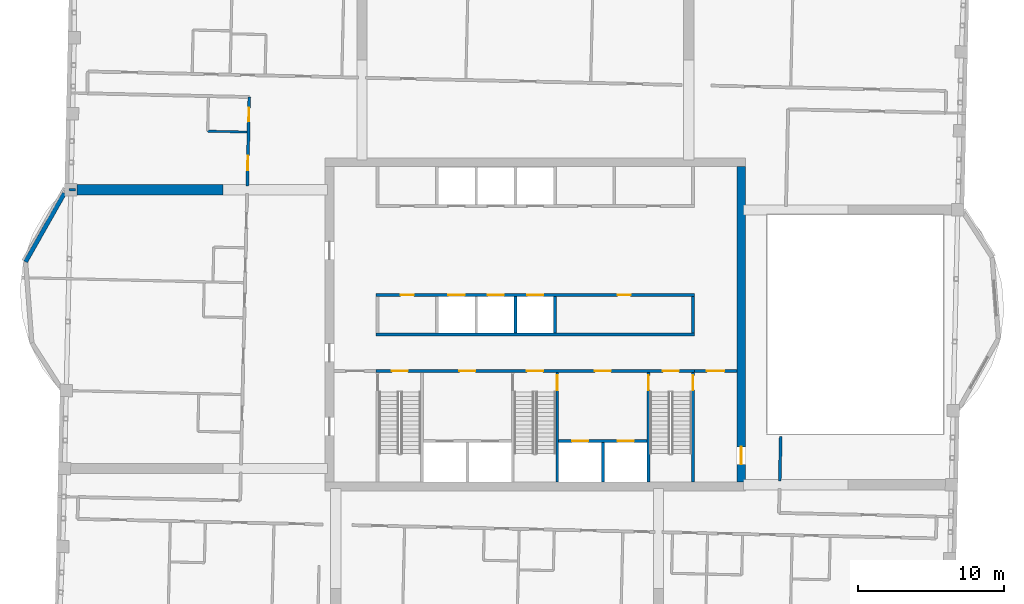
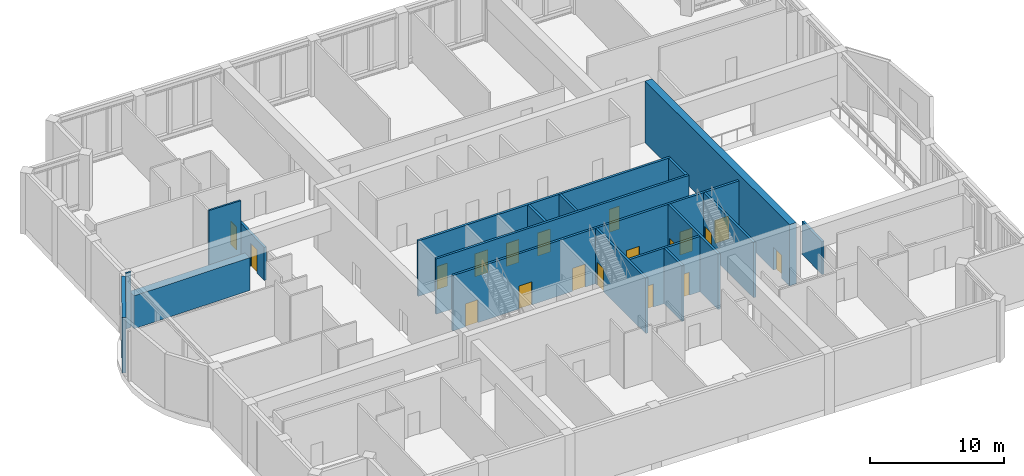
# One storey, part 11 of 16: 19 doors, 19 walls, 19 openings.
"""IFC4 building model written with IfcOpenShell, lengths in metres."""

from ifc_helpers import new_model, si_unit, direction, frame, frame_2d, origin, place, context, subcontext, project, spatial, rectangle, extrude, material, layer, layer_set, type_object, element, fill, save


model = new_model("IFC4")

# Units and contexts
model_context = context("Model", 3, precision=1e-05, world=origin(), true_north=direction((0.0, 1.0)))
body_context = subcontext(model_context, "Body", "Model", "MODEL_VIEW")
ifc_project = project(units=[si_unit("LENGTHUNIT", "METRE"), si_unit("AREAUNIT", "SQUARE_METRE"), si_unit("VOLUMEUNIT", "CUBIC_METRE"), si_unit("PLANEANGLEUNIT", "RADIAN"), si_unit("MASSUNIT", "GRAM", prefix="KILO")], contexts=[model_context])

# Site, building, storey
site_placement = place(None, origin())
site = spatial("IfcSite", under=ifc_project, at=site_placement, CompositionType="ELEMENT")
building_placement = place(site_placement, origin())
building = spatial("IfcBuilding", under=site, at=building_placement, Name="Mangrove Gate Tower", CompositionType="ELEMENT")
storey_placement = place(building_placement, frame((0.0, 0.0, 324.10009765625)))
storey = spatial("IfcBuildingStorey", under=building, at=storey_placement, Name="L83", CompositionType="ELEMENT", Elevation=324.10009765625)

# Wall, opening, door
ifc_material_1 = material(Name="Concrete C32/40", Category="concrete")
ifc_layer_1 = layer(ifc_material_1, 0.199951171875)
ifc_layer_set_1 = layer_set([ifc_layer_1], Name="Core lobby wall 200 C32/40")
wall_type_1 = type_object("IfcWallType", Name="Core lobby wall 200 C32/40", PredefinedType="STANDARD", material=ifc_layer_set_1)
wall_1_placement = place(storey_placement, frame((10.89990234375, -3.199951171875, 0.0), z_axis=(0.0, 0.0, 1.0), x_axis=(1.0, 0.0, 0.0)))
wall_1 = element("IfcWall", 1, at=wall_1_placement, inside=storey, type_object=wall_type_1, Name="WALL-L83-CORE-33", PredefinedType="STANDARD", context=body_context, shape_type="SweptSolid", body=[
    extrude(rectangle(XDim=2.900146484375, YDim=0.199951171875, at=frame_2d((1.4501953125, 0.0))), origin(), (0.0, 0.0, 1.0), 5.0498046875),
])
opening_1_placement = place(wall_1_placement, frame((0.85009765625, 0.0, 0.0)))
opening_1 = element("IfcOpeningElement", 2, at=opening_1_placement, cuts=wall_1, Name="Opening FL12", PredefinedType="OPENING", context=body_context, shape_type="SweptSolid", body=[
    extrude(rectangle(XDim=1.199951171875, YDim=2.10009765625, at=frame_2d((0.60009765625, 1.050048828125))), frame((0.0, 0.10986328125, 0.0), z_axis=(0.0, -1.0, 0.0), x_axis=(1.0, 0.0, 0.0)), (0.0, 0.0, 1.0), 0.219970703125),
])
ifc_material_2 = material(Name="Fire-rated steel door set", Category="steel")
door_type_1 = type_object("IfcDoorType", Name="Lobby door FD60 1200x2100", OperationType="SINGLE_SWING_LEFT", PredefinedType="DOOR", material=ifc_material_2)
door_1_placement = place(opening_1_placement, origin())
door_1 = element("IfcDoor", 3, at=door_1_placement, inside=storey, type_object=door_type_1, Name="Lobby door refuge lobby E link", OperationType="SINGLE_SWING_LEFT", OverallHeight=2.10009765625, OverallWidth=1.199951171875, PredefinedType="DOOR", context=body_context, shape_type="SweptSolid", body=[
    extrude(rectangle(XDim=1.199951171875, YDim=2.10009765625, at=frame_2d((0.60009765625, 1.050048828125))), frame((0.0, 0.02490234375, 0.0), z_axis=(0.0, -1.0, 0.0), x_axis=(1.0, 0.0, 0.0)), (0.0, 0.0, 1.0), 0.050048828125),
])
fill(opening_1, door_1)

# Walls
ifc_material_3 = material(Name="Concrete C32/40", Category="concrete")
ifc_layer_2 = layer(ifc_material_3, 0.199951171875)
ifc_layer_set_2 = layer_set([ifc_layer_2], Name="Core room wall 200 C32/40")
wall_type_2 = type_object("IfcWallType", Name="Core room wall 200 C32/40", PredefinedType="STANDARD", material=ifc_layer_set_2)
wall_2_placement = place(storey_placement, frame((10.800048828125, -0.60009765625, 0.0), z_axis=(0.0, 0.0, 1.0), x_axis=(0.0, 1.0, 0.0)))
element("IfcWall", 4, at=wall_2_placement, inside=storey, type_object=wall_type_2, Name="WALL-L83-CORE-24", PredefinedType="STANDARD", context=body_context, shape_type="SweptSolid", body=[
    extrude(rectangle(XDim=2.5, YDim=0.199951171875, at=frame_2d((1.25, 0.0))), origin(), (0.0, 0.0, 1.0), 5.0498046875),
])
ifc_material_4 = material(Name="Concrete C50/60", Category="concrete")
ifc_layer_3 = layer(ifc_material_4, 0.199951171875)
ifc_layer_set_3 = layer_set([ifc_layer_3], Name="Core shaft wall 200 C50/60")
wall_type_3 = type_object("IfcWallType", Name="Core shaft wall 200 C50/60", PredefinedType="SHEAR", material=ifc_layer_set_3)
wall_3_placement = place(storey_placement, frame((-10.89990234375, -0.699951171875, 0.0), z_axis=(0.0, 0.0, 1.0), x_axis=(1.0, 0.0, 0.0)))
element("IfcWall", 5, at=wall_3_placement, inside=storey, type_object=wall_type_3, Name="WALL-L83-CORE-6", PredefinedType="SHEAR", context=body_context, shape_type="SweptSolid", body=[
    extrude(rectangle(XDim=21.7998046875, YDim=0.199951171875, at=frame_2d((10.89990234375, 0.0))), origin(), (0.0, 0.0, 1.0), 5.0498046875),
])

# Wall, openings, doors
wall_4_placement = place(storey_placement, frame((-10.89990234375, 2.0, 0.0), z_axis=(0.0, 0.0, 1.0), x_axis=(1.0, 0.0, 0.0)))
wall_4 = element("IfcWall", 6, at=wall_4_placement, inside=storey, type_object=wall_type_3, Name="WALL-L83-CORE-7", PredefinedType="SHEAR", context=body_context, shape_type="SweptSolid", body=[
    extrude(rectangle(XDim=21.7998046875, YDim=0.199951171875, at=frame_2d((10.89990234375, 0.0))), origin(), (0.0, 0.0, 1.0), 5.0498046875),
])
opening_2_placement = place(wall_4_placement, frame((4.949951171875, 0.0, 0.0)))
opening_2 = element("IfcOpeningElement", 7, at=opening_2_placement, cuts=wall_4, Name="Opening LD", PredefinedType="OPENING", context=body_context, shape_type="SweptSolid", body=[
    extrude(rectangle(XDim=1.10009765625, YDim=2.10009765625, at=frame_2d((0.550048828125, 1.050048828125))), frame((0.0, 0.10986328125, 0.0), z_axis=(0.0, -1.0, 0.0), x_axis=(1.0, 0.0, 0.0)), (0.0, 0.0, 1.0), 0.219970703125),
])
opening_3_placement = place(wall_4_placement, frame((7.64990234375, 0.0, 0.0)))
opening_3 = element("IfcOpeningElement", 8, at=opening_3_placement, cuts=wall_4, Name="Opening LD", PredefinedType="OPENING", context=body_context, shape_type="SweptSolid", body=[
    extrude(rectangle(XDim=1.10009765625, YDim=2.10009765625, at=frame_2d((0.550048828125, 1.050048828125))), frame((0.0, 0.10986328125, 0.0), z_axis=(0.0, -1.0, 0.0), x_axis=(1.0, 0.0, 0.0)), (0.0, 0.0, 1.0), 0.219970703125),
])
opening_4_placement = place(wall_4_placement, frame((10.35009765625, 0.0, 0.0)))
opening_4 = element("IfcOpeningElement", 9, at=opening_4_placement, cuts=wall_4, Name="Opening LD", PredefinedType="OPENING", context=body_context, shape_type="SweptSolid", body=[
    extrude(rectangle(XDim=1.10009765625, YDim=2.10009765625, at=frame_2d((0.550048828125, 1.050048828125))), frame((0.0, 0.10986328125, 0.0), z_axis=(0.0, -1.0, 0.0), x_axis=(1.0, 0.0, 0.0)), (0.0, 0.0, 1.0), 0.219970703125),
])
opening_5_placement = place(wall_4_placement, frame((1.675048828125, 0.0, 0.0)))
opening_5 = element("IfcOpeningElement", 10, at=opening_5_placement, cuts=wall_4, Name="Opening KD", PredefinedType="OPENING", context=body_context, shape_type="SweptSolid", body=[
    extrude(rectangle(XDim=0.89990234375, YDim=2.10009765625, at=frame_2d((0.449951171875, 1.050048828125))), frame((0.0, 0.10986328125, 0.0), z_axis=(0.0, -1.0, 0.0), x_axis=(1.0, 0.0, 0.0)), (0.0, 0.0, 1.0), 0.219970703125),
])
opening_6_placement = place(wall_4_placement, frame((16.52490234375, 0.0, 0.0)))
opening_6 = element("IfcOpeningElement", 11, at=opening_6_placement, cuts=wall_4, Name="Opening KD", PredefinedType="OPENING", context=body_context, shape_type="SweptSolid", body=[
    extrude(rectangle(XDim=0.89990234375, YDim=2.10009765625, at=frame_2d((0.449951171875, 1.050048828125))), frame((0.0, 0.10986328125, 0.0), z_axis=(0.0, -1.0, 0.0), x_axis=(1.0, 0.0, 0.0)), (0.0, 0.0, 1.0), 0.219970703125),
])
ifc_material_5 = material(Name="Fire-rated steel door set", Category="steel")
door_type_2 = type_object("IfcDoorType", Name="Core room door FD30S 900x2100", OperationType="SINGLE_SWING_RIGHT", PredefinedType="DOOR", material=ifc_material_5)
door_2_placement = place(opening_5_placement, origin())
door_2 = element("IfcDoor", 12, at=door_2_placement, inside=storey, type_object=door_type_2, Name="Core room door Core WC", OperationType="SINGLE_SWING_RIGHT", OverallHeight=2.10009765625, OverallWidth=0.89990234375, PredefinedType="DOOR", context=body_context, shape_type="SweptSolid", body=[
    extrude(rectangle(XDim=0.89990234375, YDim=2.10009765625, at=frame_2d((0.449951171875, 1.050048828125))), frame((0.0, 0.02490234375, 0.0), z_axis=(0.0, -1.0, 0.0), x_axis=(1.0, 0.0, 0.0)), (0.0, 0.0, 1.0), 0.050048828125),
])
fill(opening_5, door_2)
door_3_placement = place(opening_6_placement, origin())
door_3 = element("IfcDoor", 13, at=door_3_placement, inside=storey, type_object=door_type_2, Name="Core room door Pantry store", OperationType="SINGLE_SWING_RIGHT", OverallHeight=2.10009765625, OverallWidth=0.89990234375, PredefinedType="DOOR", context=body_context, shape_type="SweptSolid", body=[
    extrude(rectangle(XDim=0.89990234375, YDim=2.10009765625, at=frame_2d((0.449951171875, 1.050048828125))), frame((0.0, 0.02490234375, 0.0), z_axis=(0.0, -1.0, 0.0), x_axis=(1.0, 0.0, 0.0)), (0.0, 0.0, 1.0), 0.050048828125),
])
fill(opening_6, door_3)
ifc_material_6 = material(Name="Stainless steel 316", Category="steel")
door_type_3 = type_object("IfcDoorType", Name="Lift landing door 1100x2100", OperationType="SLIDING_TO_LEFT", PredefinedType="DOOR", material=ifc_material_6)
door_4_placement = place(opening_2_placement, origin())
door_4 = element("IfcDoor", 14, at=door_4_placement, inside=storey, type_object=door_type_3, Name="Landing door LD H01", OperationType="SLIDING_TO_LEFT", OverallHeight=2.10009765625, OverallWidth=1.10009765625, PredefinedType="DOOR", context=body_context, shape_type="SweptSolid", body=[
    extrude(rectangle(XDim=1.10009765625, YDim=2.10009765625, at=frame_2d((0.550048828125, 1.050048828125))), frame((0.0, 0.02490234375, 0.0), z_axis=(0.0, -1.0, 0.0), x_axis=(1.0, 0.0, 0.0)), (0.0, 0.0, 1.0), 0.050048828125),
])
fill(opening_2, door_4)
door_5_placement = place(opening_3_placement, origin())
door_5 = element("IfcDoor", 15, at=door_5_placement, inside=storey, type_object=door_type_3, Name="Landing door LD H02", OperationType="SLIDING_TO_LEFT", OverallHeight=2.10009765625, OverallWidth=1.10009765625, PredefinedType="DOOR", context=body_context, shape_type="SweptSolid", body=[
    extrude(rectangle(XDim=1.10009765625, YDim=2.10009765625, at=frame_2d((0.550048828125, 1.050048828125))), frame((0.0, 0.02490234375, 0.0), z_axis=(0.0, -1.0, 0.0), x_axis=(1.0, 0.0, 0.0)), (0.0, 0.0, 1.0), 0.050048828125),
])
fill(opening_3, door_5)
door_6_placement = place(opening_4_placement, origin())
door_6 = element("IfcDoor", 16, at=door_6_placement, inside=storey, type_object=door_type_3, Name="Landing door LD H03", OperationType="SLIDING_TO_LEFT", OverallHeight=2.10009765625, OverallWidth=1.10009765625, PredefinedType="DOOR", context=body_context, shape_type="SweptSolid", body=[
    extrude(rectangle(XDim=1.10009765625, YDim=2.10009765625, at=frame_2d((0.550048828125, 1.050048828125))), frame((0.0, 0.02490234375, 0.0), z_axis=(0.0, -1.0, 0.0), x_axis=(1.0, 0.0, 0.0)), (0.0, 0.0, 1.0), 0.050048828125),
])
fill(opening_4, door_6)

wall_5_placement = place(storey_placement, frame((1.60009765625, -8.0, 0.0), z_axis=(0.0, 0.0, 1.0), x_axis=(1.0, 0.0, 0.0)))
wall_5 = element("IfcWall", 17, at=wall_5_placement, inside=storey, type_object=wall_type_3, Name="WALL-L83-CORE-17", PredefinedType="SHEAR", context=body_context, shape_type="SweptSolid", body=[
    extrude(rectangle(XDim=6.0498046875, YDim=0.199951171875, at=frame_2d((3.02490234375, 0.0))), origin(), (0.0, 0.0, 1.0), 5.0498046875),
])
opening_7_placement = place(wall_5_placement, frame((0.91259765625, 0.0, 0.0)))
opening_7 = element("IfcOpeningElement", 18, at=opening_7_placement, cuts=wall_5, Name="Opening LD", PredefinedType="OPENING", context=body_context, shape_type="SweptSolid", body=[
    extrude(rectangle(XDim=1.10009765625, YDim=2.10009765625, at=frame_2d((0.550048828125, 1.050048828125))), frame((0.0, 0.10986328125, 0.0), z_axis=(0.0, -1.0, 0.0), x_axis=(1.0, 0.0, 0.0)), (0.0, 0.0, 1.0), 0.219970703125),
])
opening_8_placement = place(wall_5_placement, frame((4.03759765625, 0.0, 0.0)))
opening_8 = element("IfcOpeningElement", 19, at=opening_8_placement, cuts=wall_5, Name="Opening LD", PredefinedType="OPENING", context=body_context, shape_type="SweptSolid", body=[
    extrude(rectangle(XDim=1.10009765625, YDim=2.10009765625, at=frame_2d((0.550048828125, 1.050048828125))), frame((0.0, 0.10986328125, 0.0), z_axis=(0.0, -1.0, 0.0), x_axis=(1.0, 0.0, 0.0)), (0.0, 0.0, 1.0), 0.219970703125),
])
door_7_placement = place(opening_7_placement, origin())
door_7 = element("IfcDoor", 20, at=door_7_placement, inside=storey, type_object=door_type_3, Name="Landing door LD FFL1", OperationType="SLIDING_TO_LEFT", OverallHeight=2.10009765625, OverallWidth=1.10009765625, PredefinedType="DOOR", context=body_context, shape_type="SweptSolid", body=[
    extrude(rectangle(XDim=1.10009765625, YDim=2.10009765625, at=frame_2d((0.550048828125, 1.050048828125))), frame((0.0, 0.02490234375, 0.0), z_axis=(0.0, -1.0, 0.0), x_axis=(1.0, 0.0, 0.0)), (0.0, 0.0, 1.0), 0.050048828125),
])
fill(opening_7, door_7)
door_8_placement = place(opening_8_placement, origin())
door_8 = element("IfcDoor", 21, at=door_8_placement, inside=storey, type_object=door_type_3, Name="Landing door LD FFL2", OperationType="SLIDING_TO_LEFT", OverallHeight=2.10009765625, OverallWidth=1.10009765625, PredefinedType="DOOR", context=body_context, shape_type="SweptSolid", body=[
    extrude(rectangle(XDim=1.10009765625, YDim=2.10009765625, at=frame_2d((0.550048828125, 1.050048828125))), frame((0.0, 0.02490234375, 0.0), z_axis=(0.0, -1.0, 0.0), x_axis=(1.0, 0.0, 0.0)), (0.0, 0.0, 1.0), 0.050048828125),
])
fill(opening_8, door_8)

# Walls
wall_6_placement = place(storey_placement, frame((4.625, -10.800048828125, 0.0), z_axis=(0.0, 0.0, 1.0), x_axis=(0.0, 1.0, 0.0)))
element("IfcWall", 22, at=wall_6_placement, inside=storey, type_object=wall_type_3, Name="WALL-L83-CORE-18", PredefinedType="SHEAR", context=body_context, shape_type="SweptSolid", body=[
    extrude(rectangle(XDim=2.699951171875, YDim=0.199951171875, at=frame_2d((1.35009765625, 0.0))), origin(), (0.0, 0.0, 1.0), 5.0498046875),
])
for number, where, z_axis, x_axis, name in (
    (23, (-1.35009765625, -0.60009765625, 0.0), (0.0, 0.0, 1.0), (0.0, 1.0, 0.0), "WALL-L83-CORE-22"),
    (24, (1.35009765625, -0.60009765625, 0.0), (0.0, 0.0, 1.0), (0.0, 1.0, 0.0), "WALL-L83-CORE-23"),
):
    element("IfcWall", number, at=place(storey_placement, frame(where, z_axis=z_axis, x_axis=x_axis)), inside=storey, type_object=wall_type_3, Name=name, PredefinedType="SHEAR", context=body_context, shape_type="SweptSolid", body=[
        extrude(rectangle(XDim=2.5, YDim=0.199951171875, at=frame_2d((1.25, 0.0))), origin(), (0.0, 0.0, 1.0), 5.0498046875),
    ])

# Wall, openings, doors
ifc_material_7 = material(Name="Concrete C50/60", Category="concrete")
ifc_layer_4 = layer(ifc_material_7, 0.199951171875)
ifc_layer_set_4 = layer_set([ifc_layer_4], Name="Core stair wall 200 C50/60")
wall_type_4 = type_object("IfcWallType", Name="Core stair wall 200 C50/60", PredefinedType="SHEAR", material=ifc_layer_set_4)
wall_7_placement = place(storey_placement, frame((-10.89990234375, -3.199951171875, 0.0), z_axis=(0.0, 0.0, 1.0), x_axis=(1.0, 0.0, 0.0)))
wall_7 = element("IfcWall", 25, at=wall_7_placement, inside=storey, type_object=wall_type_4, Name="WALL-L83-CORE-5", PredefinedType="SHEAR", context=body_context, shape_type="SweptSolid", body=[
    extrude(rectangle(XDim=21.7998046875, YDim=0.199951171875, at=frame_2d((10.89990234375, 0.0))), origin(), (0.0, 0.0, 1.0), 5.0498046875),
])
opening_9_placement = place(wall_7_placement, frame((1.074951171875, 0.0, 0.0)))
opening_9 = element("IfcOpeningElement", 26, at=opening_9_placement, cuts=wall_7, Name="Opening STD11", PredefinedType="OPENING", context=body_context, shape_type="SweptSolid", body=[
    extrude(rectangle(XDim=1.10009765625, YDim=2.10009765625, at=frame_2d((0.550048828125, 1.050048828125))), frame((0.0, 0.10986328125, 0.0), z_axis=(0.0, -1.0, 0.0), x_axis=(1.0, 0.0, 0.0)), (0.0, 0.0, 1.0), 0.219970703125),
])
opening_10_placement = place(wall_7_placement, frame((10.324951171875, 0.0, 0.0)))
opening_10 = element("IfcOpeningElement", 27, at=opening_10_placement, cuts=wall_7, Name="Opening STD11", PredefinedType="OPENING", context=body_context, shape_type="SweptSolid", body=[
    extrude(rectangle(XDim=1.10009765625, YDim=2.10009765625, at=frame_2d((0.550048828125, 1.050048828125))), frame((0.0, 0.10986328125, 0.0), z_axis=(0.0, -1.0, 0.0), x_axis=(1.0, 0.0, 0.0)), (0.0, 0.0, 1.0), 0.219970703125),
])
opening_11_placement = place(wall_7_placement, frame((19.625, 0.0, 0.0)))
opening_11 = element("IfcOpeningElement", 28, at=opening_11_placement, cuts=wall_7, Name="Opening STD11", PredefinedType="OPENING", context=body_context, shape_type="SweptSolid", body=[
    extrude(rectangle(XDim=1.10009765625, YDim=2.10009765625, at=frame_2d((0.550048828125, 1.050048828125))), frame((0.0, 0.10986328125, 0.0), z_axis=(0.0, -1.0, 0.0), x_axis=(1.0, 0.0, 0.0)), (0.0, 0.0, 1.0), 0.219970703125),
])
opening_12_placement = place(wall_7_placement, frame((5.699951171875, 0.0, 0.0)))
opening_12 = element("IfcOpeningElement", 29, at=opening_12_placement, cuts=wall_7, Name="Opening FL", PredefinedType="OPENING", context=body_context, shape_type="SweptSolid", body=[
    extrude(rectangle(XDim=1.10009765625, YDim=2.10009765625, at=frame_2d((0.550048828125, 1.050048828125))), frame((0.0, 0.10986328125, 0.0), z_axis=(0.0, -1.0, 0.0), x_axis=(1.0, 0.0, 0.0)), (0.0, 0.0, 1.0), 0.219970703125),
])
opening_13_placement = place(wall_7_placement, frame((14.97509765625, 0.0, 0.0)))
opening_13 = element("IfcOpeningElement", 30, at=opening_13_placement, cuts=wall_7, Name="Opening FL", PredefinedType="OPENING", context=body_context, shape_type="SweptSolid", body=[
    extrude(rectangle(XDim=1.10009765625, YDim=2.10009765625, at=frame_2d((0.550048828125, 1.050048828125))), frame((0.0, 0.10986328125, 0.0), z_axis=(0.0, -1.0, 0.0), x_axis=(1.0, 0.0, 0.0)), (0.0, 0.0, 1.0), 0.219970703125),
])
ifc_material_8 = material(Name="Fire-rated steel door set", Category="steel")
door_type_4 = type_object("IfcDoorType", Name="Lobby door FD60 1100x2100", OperationType="SINGLE_SWING_LEFT", PredefinedType="DOOR", material=ifc_material_8)
door_9_placement = place(opening_12_placement, origin())
door_9 = element("IfcDoor", 31, at=door_9_placement, inside=storey, type_object=door_type_4, Name="Lobby door service lobby", OperationType="SINGLE_SWING_LEFT", OverallHeight=2.10009765625, OverallWidth=1.10009765625, PredefinedType="DOOR", context=body_context, shape_type="SweptSolid", body=[
    extrude(rectangle(XDim=1.10009765625, YDim=2.10009765625, at=frame_2d((0.550048828125, 1.050048828125))), frame((0.0, 0.02490234375, 0.0), z_axis=(0.0, -1.0, 0.0), x_axis=(1.0, 0.0, 0.0)), (0.0, 0.0, 1.0), 0.050048828125),
])
fill(opening_12, door_9)
door_10_placement = place(opening_13_placement, origin())
door_10 = element("IfcDoor", 32, at=door_10_placement, inside=storey, type_object=door_type_4, Name="Lobby door fire-fighting lobby", OperationType="SINGLE_SWING_LEFT", OverallHeight=2.10009765625, OverallWidth=1.10009765625, PredefinedType="DOOR", context=body_context, shape_type="SweptSolid", body=[
    extrude(rectangle(XDim=1.10009765625, YDim=2.10009765625, at=frame_2d((0.550048828125, 1.050048828125))), frame((0.0, 0.02490234375, 0.0), z_axis=(0.0, -1.0, 0.0), x_axis=(1.0, 0.0, 0.0)), (0.0, 0.0, 1.0), 0.050048828125),
])
fill(opening_13, door_10)
ifc_material_9 = material(Name="Fire-rated steel door set", Category="steel")
door_type_5 = type_object("IfcDoorType", Name="Stair door FD60 1100x2100", OperationType="SINGLE_SWING_RIGHT", PredefinedType="DOOR", material=ifc_material_9)
door_11_placement = place(opening_9_placement, origin())
door_11 = element("IfcDoor", 33, at=door_11_placement, inside=storey, type_object=door_type_5, Name="Stair door Stair 1", OperationType="SINGLE_SWING_RIGHT", OverallHeight=2.10009765625, OverallWidth=1.10009765625, PredefinedType="DOOR", context=body_context, shape_type="SweptSolid", body=[
    extrude(rectangle(XDim=1.10009765625, YDim=2.10009765625, at=frame_2d((0.550048828125, 1.050048828125))), frame((0.0, 0.02490234375, 0.0), z_axis=(0.0, -1.0, 0.0), x_axis=(1.0, 0.0, 0.0)), (0.0, 0.0, 1.0), 0.050048828125),
])
fill(opening_9, door_11)
door_12_placement = place(opening_10_placement, origin())
door_12 = element("IfcDoor", 34, at=door_12_placement, inside=storey, type_object=door_type_5, Name="Stair door Stair 2", OperationType="SINGLE_SWING_RIGHT", OverallHeight=2.10009765625, OverallWidth=1.10009765625, PredefinedType="DOOR", context=body_context, shape_type="SweptSolid", body=[
    extrude(rectangle(XDim=1.10009765625, YDim=2.10009765625, at=frame_2d((0.550048828125, 1.050048828125))), frame((0.0, 0.02490234375, 0.0), z_axis=(0.0, -1.0, 0.0), x_axis=(1.0, 0.0, 0.0)), (0.0, 0.0, 1.0), 0.050048828125),
])
fill(opening_10, door_12)
door_13_placement = place(opening_11_placement, origin())
door_13 = element("IfcDoor", 35, at=door_13_placement, inside=storey, type_object=door_type_5, Name="Stair door Stair 3", OperationType="SINGLE_SWING_RIGHT", OverallHeight=2.10009765625, OverallWidth=1.10009765625, PredefinedType="DOOR", context=body_context, shape_type="SweptSolid", body=[
    extrude(rectangle(XDim=1.10009765625, YDim=2.10009765625, at=frame_2d((0.550048828125, 1.050048828125))), frame((0.0, 0.02490234375, 0.0), z_axis=(0.0, -1.0, 0.0), x_axis=(1.0, 0.0, 0.0)), (0.0, 0.0, 1.0), 0.050048828125),
])
fill(opening_11, door_13)

# Wall, opening, door
wall_8_placement = place(storey_placement, frame((1.5, -10.800048828125, 0.0), z_axis=(0.0, 0.0, 1.0), x_axis=(0.0, 1.0, 0.0)))
wall_8 = element("IfcWall", 36, at=wall_8_placement, inside=storey, type_object=wall_type_4, Name="WALL-L83-CORE-12", PredefinedType="SHEAR", context=body_context, shape_type="SweptSolid", body=[
    extrude(rectangle(XDim=7.5, YDim=0.199951171875, at=frame_2d((3.75, 0.0))), origin(), (0.0, 0.0, 1.0), 5.0498046875),
])
opening_14_placement = place(wall_8_placement, frame((6.300048828125, 0.0, 0.0)))
opening_14 = element("IfcOpeningElement", 37, at=opening_14_placement, cuts=wall_8, Name="Opening STD10", PredefinedType="OPENING", context=body_context, shape_type="SweptSolid", body=[
    extrude(rectangle(XDim=1.0, YDim=2.10009765625, at=frame_2d((0.5, 1.050048828125))), frame((0.0, 0.10986328125, 0.0), z_axis=(0.0, -1.0, 0.0), x_axis=(1.0, 0.0, 0.0)), (0.0, 0.0, 1.0), 0.219970703125),
])
ifc_material_10 = material(Name="Fire-rated steel door set", Category="steel")
door_type_6 = type_object("IfcDoorType", Name="Stair door FD60 1000x2100", OperationType="SINGLE_SWING_RIGHT", PredefinedType="DOOR", material=ifc_material_10)
door_14_placement = place(opening_14_placement, origin())
door_14 = element("IfcDoor", 38, at=door_14_placement, inside=storey, type_object=door_type_6, Name="Stair door Stair 2 from fire-fighting lobby", OperationType="SINGLE_SWING_RIGHT", OverallHeight=2.10009765625, OverallWidth=1.0, PredefinedType="DOOR", context=body_context, shape_type="SweptSolid", body=[
    extrude(rectangle(XDim=1.0, YDim=2.10009765625, at=frame_2d((0.5, 1.050048828125))), frame((0.0, 0.02490234375, 0.0), z_axis=(0.0, -1.0, 0.0), x_axis=(1.0, 0.0, 0.0)), (0.0, 0.0, 1.0), 0.050048828125),
])
fill(opening_14, door_14)

wall_9_placement = place(storey_placement, frame((7.75, -10.800048828125, 0.0), z_axis=(0.0, 0.0, 1.0), x_axis=(0.0, 1.0, 0.0)))
wall_9 = element("IfcWall", 39, at=wall_9_placement, inside=storey, type_object=wall_type_4, Name="WALL-L83-CORE-13", PredefinedType="SHEAR", context=body_context, shape_type="SweptSolid", body=[
    extrude(rectangle(XDim=7.5, YDim=0.199951171875, at=frame_2d((3.75, 0.0))), origin(), (0.0, 0.0, 1.0), 5.0498046875),
])
opening_15_placement = place(wall_9_placement, frame((6.300048828125, 0.0, 0.0)))
opening_15 = element("IfcOpeningElement", 40, at=opening_15_placement, cuts=wall_9, Name="Opening STD10", PredefinedType="OPENING", context=body_context, shape_type="SweptSolid", body=[
    extrude(rectangle(XDim=1.0, YDim=2.10009765625, at=frame_2d((0.5, 1.050048828125))), frame((0.0, 0.10986328125, 0.0), z_axis=(0.0, -1.0, 0.0), x_axis=(1.0, 0.0, 0.0)), (0.0, 0.0, 1.0), 0.219970703125),
])
door_15_placement = place(opening_15_placement, origin())
door_15 = element("IfcDoor", 41, at=door_15_placement, inside=storey, type_object=door_type_6, Name="Stair door Stair 3 from fire-fighting lobby", OperationType="SINGLE_SWING_RIGHT", OverallHeight=2.10009765625, OverallWidth=1.0, PredefinedType="DOOR", context=body_context, shape_type="SweptSolid", body=[
    extrude(rectangle(XDim=1.0, YDim=2.10009765625, at=frame_2d((0.5, 1.050048828125))), frame((0.0, 0.02490234375, 0.0), z_axis=(0.0, -1.0, 0.0), x_axis=(1.0, 0.0, 0.0)), (0.0, 0.0, 1.0), 0.050048828125),
])
fill(opening_15, door_15)

wall_10_placement = place(storey_placement, frame((10.800048828125, -10.800048828125, 0.0), z_axis=(0.0, 0.0, 1.0), x_axis=(0.0, 1.0, 0.0)))
wall_10 = element("IfcWall", 42, at=wall_10_placement, inside=storey, type_object=wall_type_4, Name="WALL-L83-CORE-14", PredefinedType="SHEAR", context=body_context, shape_type="SweptSolid", body=[
    extrude(rectangle(XDim=7.5, YDim=0.199951171875, at=frame_2d((3.75, 0.0))), origin(), (0.0, 0.0, 1.0), 5.0498046875),
])
opening_16_placement = place(wall_10_placement, frame((6.300048828125, 0.0, 0.0)))
opening_16 = element("IfcOpeningElement", 43, at=opening_16_placement, cuts=wall_10, Name="Opening STD10", PredefinedType="OPENING", context=body_context, shape_type="SweptSolid", body=[
    extrude(rectangle(XDim=1.0, YDim=2.10009765625, at=frame_2d((0.5, 1.050048828125))), frame((0.0, 0.10986328125, 0.0), z_axis=(0.0, -1.0, 0.0), x_axis=(1.0, 0.0, 0.0)), (0.0, 0.0, 1.0), 0.219970703125),
])
door_16_placement = place(opening_16_placement, origin())
door_16 = element("IfcDoor", 44, at=door_16_placement, inside=storey, type_object=door_type_6, Name="Stair door refuge lobby E to stair", OperationType="SINGLE_SWING_RIGHT", OverallHeight=2.10009765625, OverallWidth=1.0, PredefinedType="DOOR", context=body_context, shape_type="SweptSolid", body=[
    extrude(rectangle(XDim=1.0, YDim=2.10009765625, at=frame_2d((0.5, 1.050048828125))), frame((0.0, 0.02490234375, 0.0), z_axis=(0.0, -1.0, 0.0), x_axis=(1.0, 0.0, 0.0)), (0.0, 0.0, 1.0), 0.050048828125),
])
fill(opening_16, door_16)

ifc_material_11 = material(Name="Concrete C50/60", Category="concrete")
ifc_layer_5 = layer(ifc_material_11, 0.60009765625)
ifc_layer_set_5 = layer_set([ifc_layer_5], Name="Core wall 600 C50/60")
wall_type_5 = type_object("IfcWallType", Name="Core wall 600 C50/60", PredefinedType="SHEAR", material=ifc_layer_set_5)
wall_11_placement = place(storey_placement, frame((14.10009765625, -10.800048828125, 0.0), z_axis=(0.0, 0.0, 1.0), x_axis=(0.0, 1.0, 0.0)))
wall_11 = element("IfcWall", 45, at=wall_11_placement, inside=storey, type_object=wall_type_5, Name="WALL-L83-CORE-4", PredefinedType="SHEAR", context=body_context, shape_type="SweptSolid", body=[
    extrude(rectangle(XDim=21.60009765625, YDim=0.60009765625, at=frame_2d((10.800048828125, 0.0))), origin(), (0.0, 0.0, 1.0), 5.599853515625),
])
opening_17_placement = place(wall_11_placement, frame((1.199951171875, 0.0, 0.0)))
opening_17 = element("IfcOpeningElement", 46, at=opening_17_placement, cuts=wall_11, Name="Opening CD", PredefinedType="OPENING", context=body_context, shape_type="SweptSolid", body=[
    extrude(rectangle(XDim=1.199951171875, YDim=2.10009765625, at=frame_2d((0.60009765625, 1.050048828125))), frame((0.0, 0.31005859375, 0.0), z_axis=(0.0, -1.0, 0.0), x_axis=(1.0, 0.0, 0.0)), (0.0, 0.0, 1.0), 0.6201171875),
])
ifc_material_12 = material(Name="Fire-rated steel door set", Category="steel")
door_type_7 = type_object("IfcDoorType", Name="Core ring door FD60 1200x2100", OperationType="DOUBLE_DOOR_SINGLE_SWING", PredefinedType="DOOR", material=ifc_material_12)
door_17_placement = place(opening_17_placement, origin())
door_17 = element("IfcDoor", 47, at=door_17_placement, inside=storey, type_object=door_type_7, Name="Core ring door E1", OperationType="DOUBLE_DOOR_SINGLE_SWING", OverallHeight=2.10009765625, OverallWidth=1.199951171875, PredefinedType="DOOR", context=body_context, shape_type="SweptSolid", body=[
    extrude(rectangle(XDim=1.199951171875, YDim=2.10009765625, at=frame_2d((0.60009765625, 1.050048828125))), frame((0.0, 0.02490234375, 0.0), z_axis=(0.0, -1.0, 0.0), x_axis=(1.0, 0.0, 0.0)), (0.0, 0.0, 1.0), 0.050048828125),
])
fill(opening_17, door_17)

# Wall
ifc_material_13 = material(Name="Gypsum board on steel stud, EI 60", Category="steel")
ifc_layer_6 = layer(ifc_material_13, 0.199951171875)
ifc_layer_set_6 = layer_set([ifc_layer_6], Name="Corridor wall EI 60")
wall_type_6 = type_object("IfcWallType", Name="Corridor wall EI 60", PredefinedType="PARTITIONING", material=ifc_layer_set_6)
wall_12_placement = place(storey_placement, frame((16.73388671875, -10.740966796875, 0.0), z_axis=(0.0, 0.0, 1.0), x_axis=(0.022529715494, 0.999746173746, 0.0)))
element("IfcWall", 48, at=wall_12_placement, inside=storey, type_object=wall_type_6, Name="WALL-L83-031", PredefinedType="PARTITIONING", context=body_context, shape_type="SweptSolid", body=[
    extrude(rectangle(XDim=3.066650390625, YDim=0.199951171875, at=frame_2d((1.533203125, 0.0))), origin(), (0.0, 0.0, 1.0), 3.0),
])

# Wall, openings, doors
wall_13_placement = place(storey_placement, frame((-19.72802734375, 9.4580078125, 0.0), z_axis=(0.0, 0.0, 1.0), x_axis=(0.022752288008, 0.999741133189, 0.0)))
wall_13 = element("IfcWall", 49, at=wall_13_placement, inside=storey, type_object=wall_type_6, Name="WALL-L83-043", PredefinedType="PARTITIONING", context=body_context, shape_type="SweptSolid", body=[
    extrude(rectangle(XDim=6.10546875, YDim=0.199951171875, at=frame_2d((3.052734375, 0.0))), origin(), (0.0, 0.0, 1.0), 3.0),
])
opening_18_placement = place(wall_13_placement, frame((1.093017578125, 0.0, 0.0)))
opening_18 = element("IfcOpeningElement", 50, at=opening_18_placement, cuts=wall_13, Name="Opening AD", PredefinedType="OPENING", context=body_context, shape_type="SweptSolid", body=[
    extrude(rectangle(XDim=1.0, YDim=2.10009765625, at=frame_2d((0.5, 1.050048828125))), frame((0.0, 0.10986328125, 0.0), z_axis=(0.0, -1.0, 0.0), x_axis=(1.0, 0.0, 0.0)), (0.0, 0.0, 1.0), 0.219970703125),
])
opening_19_placement = place(wall_13_placement, frame((4.455078125, 0.0, 0.0)))
opening_19 = element("IfcOpeningElement", 51, at=opening_19_placement, cuts=wall_13, Name="Opening SD", PredefinedType="OPENING", context=body_context, shape_type="SweptSolid", body=[
    extrude(rectangle(XDim=0.89990234375, YDim=2.10009765625, at=frame_2d((0.449951171875, 1.050048828125))), frame((0.0, 0.10986328125, 0.0), z_axis=(0.0, -1.0, 0.0), x_axis=(1.0, 0.0, 0.0)), (0.0, 0.0, 1.0), 0.219970703125),
])
ifc_material_14 = material(Name="Timber door leaf", Category="wood")
door_type_8 = type_object("IfcDoorType", Name="Amenity door 1000", OperationType="SINGLE_SWING_LEFT", PredefinedType="DOOR", material=ifc_material_14)
door_18_placement = place(opening_18_placement, origin())
door_18 = element("IfcDoor", 52, at=door_18_placement, inside=storey, type_object=door_type_8, Name="DOOR-L83-LNG-c5a", OperationType="SINGLE_SWING_LEFT", OverallHeight=2.10009765625, OverallWidth=1.0, PredefinedType="DOOR", context=body_context, shape_type="SweptSolid", body=[
    extrude(rectangle(XDim=1.0, YDim=2.10009765625, at=frame_2d((0.5, 1.050048828125))), frame((0.0, 0.02490234375, 0.0), z_axis=(0.0, -1.0, 0.0), x_axis=(1.0, 0.0, 0.0)), (0.0, 0.0, 1.0), 0.050048828125),
])
fill(opening_18, door_18)
ifc_material_15 = material(Name="Timber door leaf", Category="wood")
door_type_9 = type_object("IfcDoorType", Name="Service room door 900", OperationType="SINGLE_SWING_LEFT", PredefinedType="DOOR", material=ifc_material_15)
door_19_placement = place(opening_19_placement, origin())
door_19 = element("IfcDoor", 53, at=door_19_placement, inside=storey, type_object=door_type_9, Name="DOOR-L83-WC-c5a", OperationType="SINGLE_SWING_LEFT", OverallHeight=2.10009765625, OverallWidth=0.89990234375, PredefinedType="DOOR", context=body_context, shape_type="SweptSolid", body=[
    extrude(rectangle(XDim=0.89990234375, YDim=2.10009765625, at=frame_2d((0.449951171875, 1.050048828125))), frame((0.0, 0.02490234375, 0.0), z_axis=(0.0, -1.0, 0.0), x_axis=(1.0, 0.0, 0.0)), (0.0, 0.0, 1.0), 0.050048828125),
])
fill(opening_19, door_19)

# Walls
ifc_material_16 = material(Name="Limestone", Category="masonry")
ifc_layer_7 = layer(ifc_material_16, 0.0400390625, Name="Limestone cladding")
ifc_material_17 = material(Name="Ventilated air gap")
ifc_layer_8 = layer(ifc_material_17, 0.0400390625, Name="Ventilated cavity")
ifc_material_18 = material(Name="Mineral wool insulation")
ifc_layer_9 = layer(ifc_material_18, 0.06005859375, Name="Insulation")
ifc_material_19 = material(Name="Breather membrane")
ifc_layer_10 = layer(ifc_material_19, 0.001953125, Name="Breather membrane")
ifc_material_20 = material(Name="Concrete C20/25 blockwork", Category="masonry")
ifc_layer_11 = layer(ifc_material_20, 0.14990234375, Name="Blockwork backing wall")
ifc_material_21 = material(Name="Gypsum plaster")
ifc_layer_12 = layer(ifc_material_21, 0.008056640625, Name="Internal plaster")
ifc_layer_set_7 = layer_set([ifc_layer_7, ifc_layer_8, ifc_layer_9, ifc_layer_10, ifc_layer_11, ifc_layer_12], Name="External wall 300 limestone cladding")
wall_type_7 = type_object("IfcWallType", Name="External wall 300 limestone cladding", PredefinedType="SOLIDWALL", material=ifc_layer_set_7)
wall_14_placement = place(storey_placement, frame((-32.251953125, 8.97802734375, 0.0), z_axis=(0.0, 0.0, 1.0), x_axis=(-0.492554919955, -0.870281363025, 0.0)))
element("IfcWall", 54, at=wall_14_placement, inside=storey, type_object=wall_type_7, Name="WALL-L83-W9f1", PredefinedType="SOLIDWALL", context=body_context, shape_type="SweptSolid", body=[
    extrude(rectangle(XDim=5.398193359375, YDim=0.300048828125, at=frame_2d((2.69921875, 0.0))), origin(), (0.0, 0.0, 1.0), 5.0498046875),
])
ifc_material_22 = material(Name="Concrete C50/60", Category="concrete")
ifc_layer_13 = layer(ifc_material_22, 0.699951171875)
ifc_layer_set_8 = layer_set([ifc_layer_13], Name="Outrigger wall 700 C50/60")
wall_type_8 = type_object("IfcWallType", Name="Outrigger wall 700 C50/60", PredefinedType="SHEAR", material=ifc_layer_set_8)
wall_15_placement = place(storey_placement, frame((-21.39990234375, 9.21240234375, 0.0), z_axis=(0.0, 0.0, 1.0), x_axis=(-1.0, 0.0, 0.0)))
element("IfcWall", 55, at=wall_15_placement, inside=storey, type_object=wall_type_8, Name="Outrigger wall L83 OR2 pier", PredefinedType="SHEAR", context=body_context, shape_type="SweptSolid", body=[
    extrude(rectangle(XDim=9.986083984375, YDim=0.699951171875, at=frame_2d((4.9931640625, 0.0))), origin(), (0.0, 0.0, 1.0), 3.0),
])
ifc_material_23 = material(Name="Gypsum board on steel stud, EI 60", Category="steel")
ifc_layer_14 = layer(ifc_material_23, 0.14990234375)
ifc_layer_set_9 = layer_set([ifc_layer_14], Name="Party wall 150 EI 60")
wall_type_9 = type_object("IfcWallType", Name="Party wall 150 EI 60", PredefinedType="PARTITIONING", material=ifc_layer_set_9)
wall_16_placement = place(storey_placement, frame((-31.93603515625, 9.219970703125, 0.0), z_axis=(0.0, 0.0, 1.0), x_axis=(0.999752642043, -0.022240834685, 0.0)))
element("IfcWall", 56, at=wall_16_placement, inside=storey, type_object=wall_type_9, Name="WALL-L83-041", PredefinedType="PARTITIONING", context=body_context, shape_type="SweptSolid", body=[
    extrude(rectangle(XDim=0.449951171875, YDim=0.14990234375, at=frame_2d((0.22509765625, 0.0))), origin(), (0.0, 0.0, 1.0), 5.0498046875),
])
wall_17_placement = place(storey_placement, frame((-22.443115234375, 13.22607421875, 0.0), z_axis=(0.0, 0.0, 1.0), x_axis=(0.999744627938, -0.022598205876, 0.0)))
element("IfcWall", 57, at=wall_17_placement, inside=storey, type_object=wall_type_9, Name="WALL-L83-044", PredefinedType="PARTITIONING", context=body_context, shape_type="SweptSolid", body=[
    extrude(rectangle(XDim=2.700927734375, YDim=0.14990234375, at=frame_2d((1.3505859375, 0.0))), origin(), (0.0, 0.0, 1.0), 5.0498046875),
])

save(model, "model.ifc")
